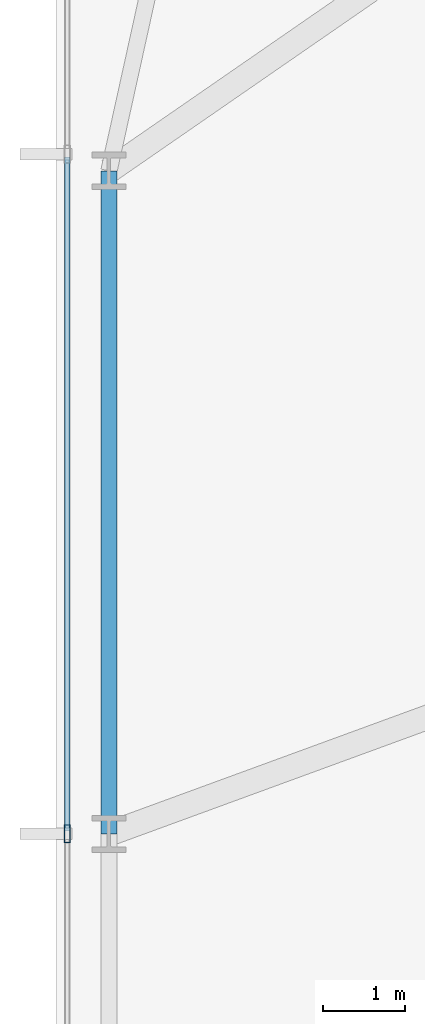
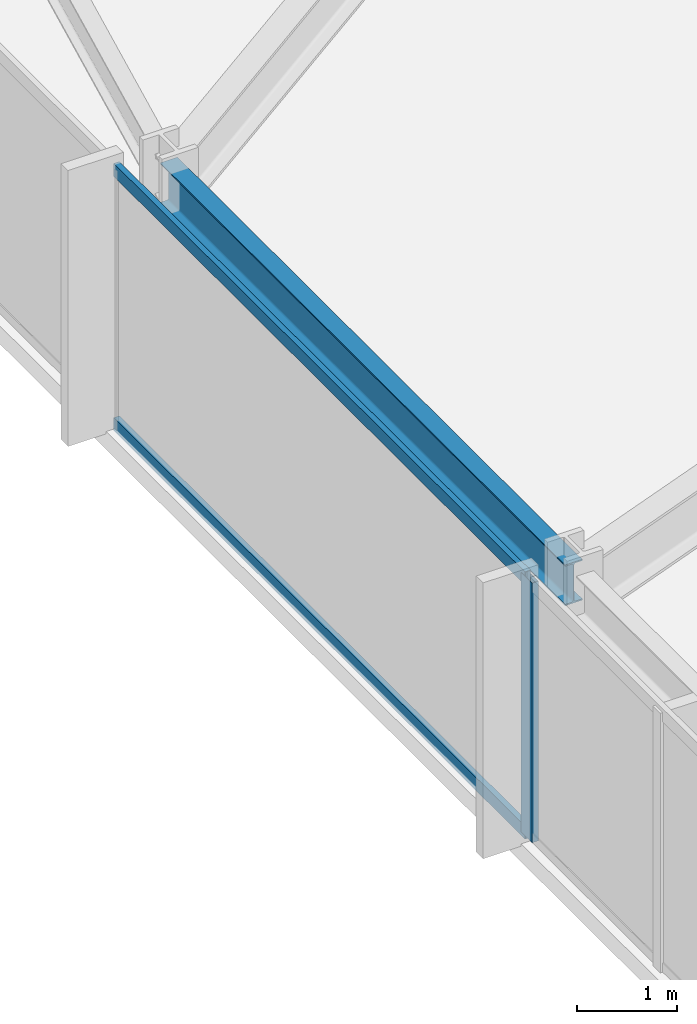
# One storey, part 7 of 32: 3 members, 1 beam, 1 element without a shape of its own.
"""IFC4 building model written with IfcOpenShell, lengths in metres."""

import ifcopenshell
import ifcopenshell.guid

model = None  # the IFC model being written
_history = None  # IfcOwnerHistory: only IFC2X3 demands one
_inside = {}  # id of a spatial element -> (the spatial element, [elements in it])
_under = {}  # id of a project, library or spatial element -> (it, [spatial elements below it])
_declared = {}  # id of a project -> (the project, [libraries it declares])
_typed = {}  # id of a type object -> (the type object, [elements of that type])
_made_of = {}  # id of a material, layer set ... -> (it, [elements and type objects made of it])


def new_model(schema):
    """Start an empty IFC model of exactly this schema.

    Asked for "IFC4X3", IfcOpenShell would pick the latest addendum, in which some entities
    have other attributes; the version numbers below select the first issue.
    IFC2X3 requires an IfcOwnerHistory on every rooted entity: one is made here for all.
    """
    global model, _history
    if schema == "IFC4X3":
        model = ifcopenshell.file(schema_version=(4, 3, 0, 0))
    else:
        model = ifcopenshell.file(schema=schema)
    _inside.clear()
    _under.clear()
    _declared.clear()
    _typed.clear()
    _made_of.clear()
    _history = None
    if model.schema == "IFC2X3":
        org = make("IfcOrganization", Name="unknown")
        user = make(
            "IfcPersonAndOrganization",
            ThePerson=make("IfcPerson", FamilyName="unknown"),
            TheOrganization=org,
        )
        app = make(
            "IfcApplication",
            ApplicationDeveloper=org,
            Version="unknown",
            ApplicationFullName="unknown",
            ApplicationIdentifier="unknown",
        )
        _history = make(
            "IfcOwnerHistory",
            OwningUser=user,
            OwningApplication=app,
            ChangeAction="ADDED",
            CreationDate=0,
        )
    return model


def make(cls, **values):
    """One entity of the class cls with the attributes given. An attribute that is None is left unset."""
    return model.create_entity(
        cls, **{name: value for name, value in values.items() if value is not None}
    )


def rooted(cls, **values):
    """An entity with a GlobalId (a new one), such as an element, a storey or a relation."""
    return make(cls, GlobalId=ifcopenshell.guid.new(), OwnerHistory=_history, **values)


def si_unit(unit_type, name, prefix=None):
    """IfcSIUnit, for example si_unit("LENGTHUNIT", "METRE", prefix="MILLI")."""
    return make("IfcSIUnit", UnitType=unit_type, Prefix=prefix, Name=name)


def assignment(units):
    """IfcUnitAssignment: the units of a project."""
    return None if units is None else make("IfcUnitAssignment", Units=units)


def point(xyz):
    """IfcCartesianPoint."""
    return None if xyz is None else make("IfcCartesianPoint", Coordinates=xyz)


def direction(xyz):
    """IfcDirection."""
    return None if xyz is None else make("IfcDirection", DirectionRatios=xyz)


def frame(location, z_axis=None, x_axis=None):
    """IfcAxis2Placement3D, a coordinate frame: its origin and axes. An axis left out is left unset."""
    return make(
        "IfcAxis2Placement3D",
        Location=point(location),
        Axis=direction(z_axis),
        RefDirection=direction(x_axis),
    )


def frame_2d(location, x_axis=None):
    """IfcAxis2Placement2D, a coordinate frame in the plane: its origin and x axis."""
    return make(
        "IfcAxis2Placement2D", Location=point(location), RefDirection=direction(x_axis)
    )


def origin():
    """The frame at (0, 0, 0) with its axes left unset."""
    return frame((0.0, 0.0, 0.0))


def origin_2d():
    """The frame at (0, 0) in the plane with its x axis left unset."""
    return frame_2d((0.0, 0.0))


def place(relative_to, where):
    """IfcLocalPlacement: puts the frame where relative to a parent placement (None: the world)."""
    return make(
        "IfcLocalPlacement", PlacementRelTo=relative_to, RelativePlacement=where
    )


def context(
    kind, dimensions, precision=None, world=None, true_north=None, identifier=None
):
    """IfcGeometricRepresentationContext, for example the 3D "Model" context."""
    return make(
        "IfcGeometricRepresentationContext",
        ContextIdentifier=identifier,
        ContextType=kind,
        CoordinateSpaceDimension=dimensions,
        Precision=precision,
        WorldCoordinateSystem=world,
        TrueNorth=true_north,
    )


def subcontext(parent, identifier, kind, view, scale=None):
    """IfcGeometricRepresentationSubContext, for example "Body" below "Model"."""
    return make(
        "IfcGeometricRepresentationSubContext",
        ContextIdentifier=identifier,
        ContextType=kind,
        ParentContext=parent,
        TargetScale=scale,
        TargetView=view,
    )


def project(units=None, contexts=None):
    """IfcProject with its units and contexts."""
    return rooted(
        "IfcProject",
        Name="project",
        RepresentationContexts=contexts,
        UnitsInContext=assignment(units),
    )


def spatial(cls, under=None, at=None, **own):
    """A site, building, storey or space (cls), placed at a placement, below another one or the project."""
    s = rooted(cls, ObjectPlacement=at, **own)
    if under is not None:
        _under.setdefault(under.id(), (under, []))[1].append(s)
    return s


def profile(cls, at=None, kind="AREA", **sizes):
    """A parametric profile (cls). Its sizes go by their IFC names, for example OverallWidth=200.0."""
    return make(cls, ProfileType=kind, Position=at, **sizes)


def hollow_rectangle(**sizes):
    """IfcRectangleHollowProfileDef."""
    return profile("IfcRectangleHollowProfileDef", **sizes)


def i_section(**sizes):
    """IfcIShapeProfileDef."""
    return profile("IfcIShapeProfileDef", **sizes)


def extrude(swept, where, along, depth):
    """IfcExtrudedAreaSolid: the profile swept, set in the frame where, extruded along a direction by depth."""
    return make(
        "IfcExtrudedAreaSolid",
        SweptArea=swept,
        Position=where,
        ExtrudedDirection=direction(along),
        Depth=depth,
    )


def shape(context_of_items, identifier, shape_type, items):
    """IfcShapeRepresentation: the items that make up one representation, for example the "Body"."""
    return make(
        "IfcShapeRepresentation",
        ContextOfItems=context_of_items,
        RepresentationIdentifier=identifier,
        RepresentationType=shape_type,
        Items=items,
    )


def material(Name=None, Category=None):
    """IfcMaterial."""
    return make("IfcMaterial", Name=Name, Category=Category)


def material_profile(
    of_material, cross_section, Name=None, Category=None, Priority=None
):
    """IfcMaterialProfile: a cross section and its material."""
    return make(
        "IfcMaterialProfile",
        Name=Name,
        Material=of_material,
        Profile=cross_section,
        Priority=Priority,
        Category=Category,
    )


def profile_set(profiles, Name=None, composite=None):
    """IfcMaterialProfileSet."""
    return make(
        "IfcMaterialProfileSet",
        Name=Name,
        MaterialProfiles=profiles,
        CompositeProfile=composite,
    )


def made_of(thing, what):
    """Note that an element or type object is made of a material, layer set ...; save() writes the relation."""
    if what is not None:
        _made_of.setdefault(what.id(), (what, []))[1].append(thing)
    return thing


def type_object(cls, material=None, **own):
    """A type object (cls), such as IfcWallType, which elements share."""
    return made_of(rooted(cls, **own), material)


def element(
    cls,
    number,
    at=None,
    inside=None,
    cuts=None,
    type_object=None,
    material=None,
    context=None,
    identifier="Body",
    shape_type=None,
    held_by="IfcProductDefinitionShape",
    body=None,
    shapes=None,
    **own,
):
    """One element of the class cls, such as IfcWall. Its Tag is "e" and its number.

    at: its placement. inside: the storey or other place that contains it. cuts: it is an
    opening in that element (IfcRelVoidsElement). A single representation is given by context,
    identifier, shape_type and body (its items); several are given by shapes. held_by: the class
    of the entity that holds the representations. save() writes the other relations.
    """
    e = rooted(cls, Tag="e%d" % number, ObjectPlacement=at, **own)
    if body is not None:
        shapes = [shape(context, identifier, shape_type, body)]
    if shapes is not None:
        e.Representation = make(held_by, Representations=shapes)
    if inside is not None:
        _inside.setdefault(inside.id(), (inside, []))[1].append(e)
    if cuts is not None:
        rooted(
            "IfcRelVoidsElement", RelatingBuildingElement=cuts, RelatedOpeningElement=e
        )
    if type_object is not None:
        _typed.setdefault(type_object.id(), (type_object, []))[1].append(e)
    return made_of(e, material)


def aggregate(whole, parts):
    """IfcRelAggregates: a whole, such as a stair, and the parts it consists of."""
    return rooted("IfcRelAggregates", RelatingObject=whole, RelatedObjects=parts)


def save(model, path):
    """Write the relations noted so far, then the file.

    IfcRelAggregates (storeys below a building ...), IfcRelContainedInSpatialStructure (elements
    in a storey), IfcRelDefinesByType, IfcRelAssociatesMaterial and IfcRelDeclares: one each for
    every whole, place, type object, material and project.
    """
    for whole, parts in _under.values():
        aggregate(whole, parts)
    for where, things in _inside.values():
        rooted(
            "IfcRelContainedInSpatialStructure",
            RelatedElements=things,
            RelatingStructure=where,
        )
    for kind, things in _typed.values():
        rooted("IfcRelDefinesByType", RelatedObjects=things, RelatingType=kind)
    for what, things in _made_of.values():
        rooted("IfcRelAssociatesMaterial", RelatedObjects=things, RelatingMaterial=what)
    for by, libraries in _declared.values():
        rooted("IfcRelDeclares", RelatingContext=by, RelatedDefinitions=libraries)
    model.write(path)


model = new_model("IFC4")

# Units and contexts
model_context = context("Model", 3, precision=1e-05, world=origin(), true_north=direction((0.0, 1.0)))
body_context = subcontext(model_context, "Body", "Model", "MODEL_VIEW")
ifc_project = project(units=[si_unit("LENGTHUNIT", "METRE"), si_unit("AREAUNIT", "SQUARE_METRE"), si_unit("VOLUMEUNIT", "CUBIC_METRE"), si_unit("PLANEANGLEUNIT", "RADIAN"), si_unit("MASSUNIT", "GRAM", prefix="KILO")], contexts=[model_context])

# Site, building, storey
site_placement = place(None, origin())
site = spatial("IfcSite", under=ifc_project, at=site_placement, CompositionType="ELEMENT")
building_placement = place(site_placement, origin())
building = spatial("IfcBuilding", under=site, at=building_placement, Name="Yelkora Congress Tower", CompositionType="ELEMENT")
storey_placement = place(building_placement, frame((0.0, 0.0, 61.0)))
storey = spatial("IfcBuildingStorey", under=building, at=storey_placement, Name="L15", CompositionType="ELEMENT", Elevation=61.0)

# Beam
ifc_material_1 = material(Name="Steel S355J2", Category="steel")
ifc_material_profile_1 = material_profile(ifc_material_1, i_section(OverallWidth=0.199951171875, OverallDepth=0.5, WebThickness=0.01025390625, FlangeThickness=0.01611328125, FilletRadius=0.02099609375, at=origin_2d()), Name="IPE 500")
ifc_profile_set_1 = profile_set([ifc_material_profile_1], Name="Steel S355J2")
beam_type = type_object("IfcBeamType", Name="BM-SPAN-IPE500", PredefinedType="SPANDREL", material=ifc_profile_set_1)
beam_placement = place(storey_placement, frame((6.64990234375, 37.52490234375, 2.929931640625), z_axis=(0.0, -1.0, 0.0), x_axis=(1.0, 0.0, 0.0)))
element("IfcBeam", 1, at=beam_placement, inside=storey, type_object=beam_type, Name="L15 Perimeter Beam 18", PredefinedType="SPANDREL", context=body_context, shape_type="SweptSolid", body=[
    extrude(i_section(OverallWidth=0.199951171875, OverallDepth=0.5, WebThickness=0.01025390625, FlangeThickness=0.01611328125, FilletRadius=0.02099609375, at=origin_2d()), origin(), (0.0, 0.0, 1.0), 8.125),
])

# Curtain wall, members
ifc_material_2 = material(Name="Anodised aluminium and insulated glass", Category="aluminium")
curtain_wall_type = type_object("IfcCurtainWallType", Name="CW-SYS-B1", PredefinedType="NOTDEFINED", material=ifc_material_2)
curtain_wall_placement = place(storey_placement, origin())
curtain_wall = element("IfcCurtainWall", 2, at=curtain_wall_placement, inside=storey, type_object=curtain_wall_type, Name="L15 Unitised Curtain Wall 5", PredefinedType="NOTDEFINED")
ifc_material_3 = material(Name="Anodised aluminium 6063-T6", Category="aluminium")
ifc_material_profile_2 = material_profile(ifc_material_3, hollow_rectangle(XDim=0.074951171875, YDim=0.219970703125, WallThickness=0.0048828125, at=origin_2d()), Name="ALU 75x220x5")
ifc_profile_set_2 = profile_set([ifc_material_profile_2], Name="Anodised aluminium 6063-T6")
member_type_1 = type_object("IfcMemberType", Name="MEM-ML-B1", PredefinedType="MULLION", material=ifc_profile_set_2)
member_1_placement = place(storey_placement, frame((6.139892578125, 29.39990234375, 0.0), z_axis=(0.0, 0.0, 1.0), x_axis=(-1.0, 0.0, 0.0)))
member_1 = element("IfcMember", 3, at=member_1_placement, type_object=member_type_1, Name="CW-B1 mullion 3", PredefinedType="MULLION", context=body_context, shape_type="SweptSolid", body=[
    extrude(hollow_rectangle(XDim=0.074951171875, YDim=0.219970703125, WallThickness=0.0048828125, at=origin_2d()), origin(), (0.0, 0.0, 1.0), 3.179931640625),
])
ifc_material_profile_3 = material_profile(ifc_material_3, hollow_rectangle(XDim=0.06494140625, YDim=0.159912109375, WallThickness=0.00390625, at=origin_2d()), Name="ALU 65x160x4")
ifc_profile_set_3 = profile_set([ifc_material_profile_3], Name="Anodised aluminium 6063-T6")
member_type_2 = type_object("IfcMemberType", Name="MEM-TR-B1", PredefinedType="USERDEFINED", material=ifc_profile_set_3)
member_2_placement = place(storey_placement, frame((6.139892578125, 29.4375, 0.032470703125), z_axis=(0.0, 1.0, 0.0), x_axis=(-1.0, 0.0, 0.0)))
member_2 = element("IfcMember", 4, at=member_2_placement, type_object=member_type_2, Name="CW-B1 transom 3.1", ObjectType="TRANSOM", PredefinedType="USERDEFINED", context=body_context, shape_type="SweptSolid", body=[
    extrude(hollow_rectangle(XDim=0.06494140625, YDim=0.159912109375, WallThickness=0.00390625, at=origin_2d()), origin(), (0.0, 0.0, 1.0), 8.2548828125),
])
member_3_placement = place(storey_placement, frame((6.139892578125, 29.4375, 3.1474609375), z_axis=(0.0, 1.0, 0.0), x_axis=(-1.0, 0.0, 0.0)))
member_3 = element("IfcMember", 5, at=member_3_placement, type_object=member_type_2, Name="CW-B1 transom 3.2", ObjectType="TRANSOM", PredefinedType="USERDEFINED", context=body_context, shape_type="SweptSolid", body=[
    extrude(hollow_rectangle(XDim=0.06494140625, YDim=0.159912109375, WallThickness=0.00390625, at=origin_2d()), origin(), (0.0, 0.0, 1.0), 8.2548828125),
])
aggregate(curtain_wall, [member_1, member_2, member_3])

save(model, "model.ifc")
